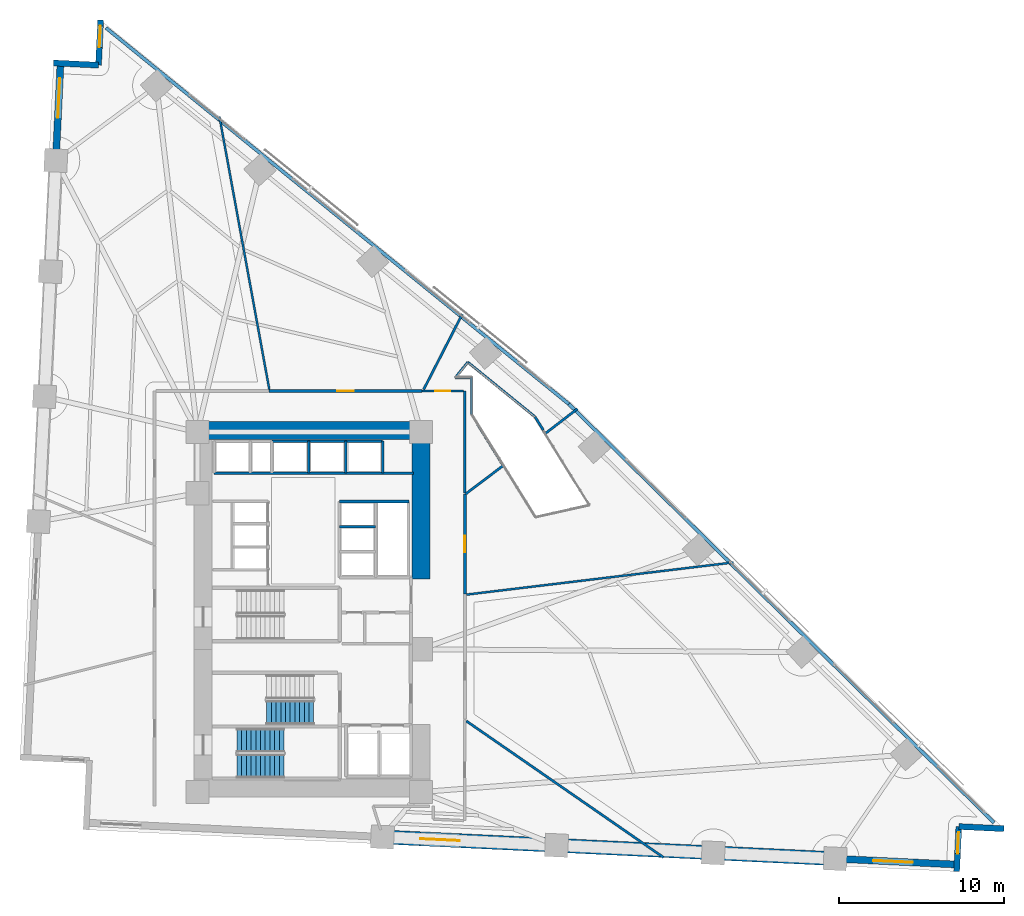
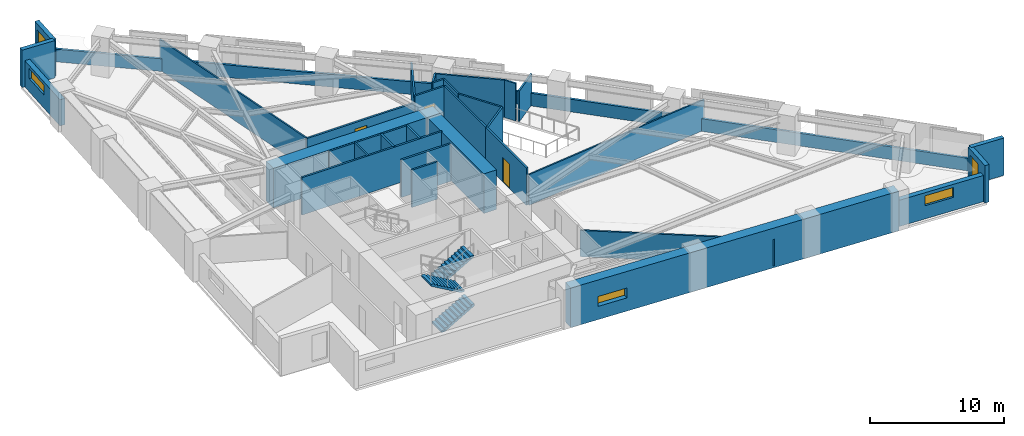
# One storey, part 14 of 17: 34 walls, 5 windows, 3 doors, 3 stair flights, 8 openings, 2 elements without a shape of their own.
"""IFC4 building model written with IfcOpenShell, lengths in metres."""

import ifcopenshell
import ifcopenshell.guid

model = None  # the IFC model being written
_history = None  # IfcOwnerHistory: only IFC2X3 demands one
_inside = {}  # id of a spatial element -> (the spatial element, [elements in it])
_under = {}  # id of a project, library or spatial element -> (it, [spatial elements below it])
_declared = {}  # id of a project -> (the project, [libraries it declares])
_typed = {}  # id of a type object -> (the type object, [elements of that type])
_made_of = {}  # id of a material, layer set ... -> (it, [elements and type objects made of it])


def new_model(schema):
    """Start an empty IFC model of exactly this schema.

    Asked for "IFC4X3", IfcOpenShell would pick the latest addendum, in which some entities
    have other attributes; the version numbers below select the first issue.
    IFC2X3 requires an IfcOwnerHistory on every rooted entity: one is made here for all.
    """
    global model, _history
    if schema == "IFC4X3":
        model = ifcopenshell.file(schema_version=(4, 3, 0, 0))
    else:
        model = ifcopenshell.file(schema=schema)
    _inside.clear()
    _under.clear()
    _declared.clear()
    _typed.clear()
    _made_of.clear()
    _history = None
    if model.schema == "IFC2X3":
        org = make("IfcOrganization", Name="unknown")
        user = make(
            "IfcPersonAndOrganization",
            ThePerson=make("IfcPerson", FamilyName="unknown"),
            TheOrganization=org,
        )
        app = make(
            "IfcApplication",
            ApplicationDeveloper=org,
            Version="unknown",
            ApplicationFullName="unknown",
            ApplicationIdentifier="unknown",
        )
        _history = make(
            "IfcOwnerHistory",
            OwningUser=user,
            OwningApplication=app,
            ChangeAction="ADDED",
            CreationDate=0,
        )
    return model


def make(cls, **values):
    """One entity of the class cls with the attributes given. An attribute that is None is left unset."""
    return model.create_entity(
        cls, **{name: value for name, value in values.items() if value is not None}
    )


def rooted(cls, **values):
    """An entity with a GlobalId (a new one), such as an element, a storey or a relation."""
    return make(cls, GlobalId=ifcopenshell.guid.new(), OwnerHistory=_history, **values)


def si_unit(unit_type, name, prefix=None):
    """IfcSIUnit, for example si_unit("LENGTHUNIT", "METRE", prefix="MILLI")."""
    return make("IfcSIUnit", UnitType=unit_type, Prefix=prefix, Name=name)


def assignment(units):
    """IfcUnitAssignment: the units of a project."""
    return None if units is None else make("IfcUnitAssignment", Units=units)


def point(xyz):
    """IfcCartesianPoint."""
    return None if xyz is None else make("IfcCartesianPoint", Coordinates=xyz)


def direction(xyz):
    """IfcDirection."""
    return None if xyz is None else make("IfcDirection", DirectionRatios=xyz)


def frame(location, z_axis=None, x_axis=None):
    """IfcAxis2Placement3D, a coordinate frame: its origin and axes. An axis left out is left unset."""
    return make(
        "IfcAxis2Placement3D",
        Location=point(location),
        Axis=direction(z_axis),
        RefDirection=direction(x_axis),
    )


def frame_2d(location, x_axis=None):
    """IfcAxis2Placement2D, a coordinate frame in the plane: its origin and x axis."""
    return make(
        "IfcAxis2Placement2D", Location=point(location), RefDirection=direction(x_axis)
    )


def origin():
    """The frame at (0, 0, 0) with its axes left unset."""
    return frame((0.0, 0.0, 0.0))


def place(relative_to, where):
    """IfcLocalPlacement: puts the frame where relative to a parent placement (None: the world)."""
    return make(
        "IfcLocalPlacement", PlacementRelTo=relative_to, RelativePlacement=where
    )


def context(
    kind, dimensions, precision=None, world=None, true_north=None, identifier=None
):
    """IfcGeometricRepresentationContext, for example the 3D "Model" context."""
    return make(
        "IfcGeometricRepresentationContext",
        ContextIdentifier=identifier,
        ContextType=kind,
        CoordinateSpaceDimension=dimensions,
        Precision=precision,
        WorldCoordinateSystem=world,
        TrueNorth=true_north,
    )


def subcontext(parent, identifier, kind, view, scale=None):
    """IfcGeometricRepresentationSubContext, for example "Body" below "Model"."""
    return make(
        "IfcGeometricRepresentationSubContext",
        ContextIdentifier=identifier,
        ContextType=kind,
        ParentContext=parent,
        TargetScale=scale,
        TargetView=view,
    )


def project(units=None, contexts=None):
    """IfcProject with its units and contexts."""
    return rooted(
        "IfcProject",
        Name="project",
        RepresentationContexts=contexts,
        UnitsInContext=assignment(units),
    )


def spatial(cls, under=None, at=None, **own):
    """A site, building, storey or space (cls), placed at a placement, below another one or the project."""
    s = rooted(cls, ObjectPlacement=at, **own)
    if under is not None:
        _under.setdefault(under.id(), (under, []))[1].append(s)
    return s


def polyline(points):
    """IfcPolyline through the points."""
    return make("IfcPolyline", Points=[point(p) for p in points])


def profile(cls, at=None, kind="AREA", **sizes):
    """A parametric profile (cls). Its sizes go by their IFC names, for example OverallWidth=200.0."""
    return make(cls, ProfileType=kind, Position=at, **sizes)


def rectangle(**sizes):
    """IfcRectangleProfileDef."""
    return profile("IfcRectangleProfileDef", **sizes)


def outline(outer, holes=None, kind="AREA"):
    """IfcArbitraryClosedProfileDef: a profile drawn as a closed curve; with holes, ...WithVoids."""
    if holes is None:
        return make("IfcArbitraryClosedProfileDef", ProfileType=kind, OuterCurve=outer)
    return make(
        "IfcArbitraryProfileDefWithVoids",
        ProfileType=kind,
        OuterCurve=outer,
        InnerCurves=holes,
    )


def extrude(swept, where, along, depth):
    """IfcExtrudedAreaSolid: the profile swept, set in the frame where, extruded along a direction by depth."""
    return make(
        "IfcExtrudedAreaSolid",
        SweptArea=swept,
        Position=where,
        ExtrudedDirection=direction(along),
        Depth=depth,
    )


def shape(context_of_items, identifier, shape_type, items):
    """IfcShapeRepresentation: the items that make up one representation, for example the "Body"."""
    return make(
        "IfcShapeRepresentation",
        ContextOfItems=context_of_items,
        RepresentationIdentifier=identifier,
        RepresentationType=shape_type,
        Items=items,
    )


def material(Name=None, Category=None):
    """IfcMaterial."""
    return make("IfcMaterial", Name=Name, Category=Category)


def layer(
    of_material, thickness, ventilated=None, Name=None, Category=None, Priority=None
):
    """IfcMaterialLayer: one layer of a wall or slab, of a material (None: an air gap)."""
    return make(
        "IfcMaterialLayer",
        Material=of_material,
        LayerThickness=thickness,
        IsVentilated=ventilated,
        Name=Name,
        Category=Category,
        Priority=Priority,
    )


def layer_set(layers, Name=None):
    """IfcMaterialLayerSet."""
    return make("IfcMaterialLayerSet", MaterialLayers=layers, LayerSetName=Name)


def made_of(thing, what):
    """Note that an element or type object is made of a material, layer set ...; save() writes the relation."""
    if what is not None:
        _made_of.setdefault(what.id(), (what, []))[1].append(thing)
    return thing


def type_object(cls, material=None, **own):
    """A type object (cls), such as IfcWallType, which elements share."""
    return made_of(rooted(cls, **own), material)


def element(
    cls,
    number,
    at=None,
    inside=None,
    cuts=None,
    type_object=None,
    material=None,
    context=None,
    identifier="Body",
    shape_type=None,
    held_by="IfcProductDefinitionShape",
    body=None,
    shapes=None,
    **own,
):
    """One element of the class cls, such as IfcWall. Its Tag is "e" and its number.

    at: its placement. inside: the storey or other place that contains it. cuts: it is an
    opening in that element (IfcRelVoidsElement). A single representation is given by context,
    identifier, shape_type and body (its items); several are given by shapes. held_by: the class
    of the entity that holds the representations. save() writes the other relations.
    """
    e = rooted(cls, Tag="e%d" % number, ObjectPlacement=at, **own)
    if body is not None:
        shapes = [shape(context, identifier, shape_type, body)]
    if shapes is not None:
        e.Representation = make(held_by, Representations=shapes)
    if inside is not None:
        _inside.setdefault(inside.id(), (inside, []))[1].append(e)
    if cuts is not None:
        rooted(
            "IfcRelVoidsElement", RelatingBuildingElement=cuts, RelatedOpeningElement=e
        )
    if type_object is not None:
        _typed.setdefault(type_object.id(), (type_object, []))[1].append(e)
    return made_of(e, material)


def fill(opening, filler):
    """IfcRelFillsElement: the door or window that sits in an opening."""
    return rooted(
        "IfcRelFillsElement",
        RelatingOpeningElement=opening,
        RelatedBuildingElement=filler,
    )


def aggregate(whole, parts):
    """IfcRelAggregates: a whole, such as a stair, and the parts it consists of."""
    return rooted("IfcRelAggregates", RelatingObject=whole, RelatedObjects=parts)


def save(model, path):
    """Write the relations noted so far, then the file.

    IfcRelAggregates (storeys below a building ...), IfcRelContainedInSpatialStructure (elements
    in a storey), IfcRelDefinesByType, IfcRelAssociatesMaterial and IfcRelDeclares: one each for
    every whole, place, type object, material and project.
    """
    for whole, parts in _under.values():
        aggregate(whole, parts)
    for where, things in _inside.values():
        rooted(
            "IfcRelContainedInSpatialStructure",
            RelatedElements=things,
            RelatingStructure=where,
        )
    for kind, things in _typed.values():
        rooted("IfcRelDefinesByType", RelatedObjects=things, RelatingType=kind)
    for what, things in _made_of.values():
        rooted("IfcRelAssociatesMaterial", RelatedObjects=things, RelatingMaterial=what)
    for by, libraries in _declared.values():
        rooted("IfcRelDeclares", RelatingContext=by, RelatedDefinitions=libraries)
    model.write(path)


model = new_model("IFC4")

# Units and contexts
model_context = context("Model", 3, precision=1e-05, world=origin(), true_north=direction((0.0, 1.0)))
body_context = subcontext(model_context, "Body", "Model", "MODEL_VIEW")
ifc_project = project(units=[si_unit("LENGTHUNIT", "METRE"), si_unit("AREAUNIT", "SQUARE_METRE"), si_unit("VOLUMEUNIT", "CUBIC_METRE"), si_unit("PLANEANGLEUNIT", "RADIAN"), si_unit("MASSUNIT", "GRAM", prefix="KILO")], contexts=[model_context])

# Site, building, storey
site_placement = place(None, origin())
site = spatial("IfcSite", under=ifc_project, at=site_placement, CompositionType="ELEMENT")
building_placement = place(site_placement, origin())
building = spatial("IfcBuilding", under=site, at=building_placement, Name="Narakoshi Arena Tower", CompositionType="ELEMENT")
storey_placement = place(building_placement, frame((0.0, 0.0, 30.300048828125)))
storey = spatial("IfcBuildingStorey", under=building, at=storey_placement, Name="L07", CompositionType="ELEMENT", Elevation=30.300048828125)

# Walls
ifc_material_1 = material(Name="Concrete C60/75", Category="concrete")
ifc_layer_1 = layer(ifc_material_1, 1.10009765625)
ifc_layer_set_1 = layer_set([ifc_layer_1], Name="Concrete C60/75")
wall_type_1 = type_object("IfcWallType", Name="WL-CORE-1100", PredefinedType="SHEAR", material=ifc_layer_set_1)
wall_1_placement = place(storey_placement, frame((71.800048828125, 56.60009765625, -0.199951171875), z_axis=(0.0, 0.0, 1.0), x_axis=(1.0, 0.0, 0.0)))
element("IfcWall", 1, at=wall_1_placement, inside=storey, type_object=wall_type_1, Name="L07 Main Core Shear Wall CW-MN-N", PredefinedType="SHEAR", context=body_context, shape_type="SweptSolid", body=[
    extrude(rectangle(XDim=14.300048828125, YDim=1.10009765625, at=frame_2d((7.14990234375, 0.0))), origin(), (0.0, 0.0, 1.0), 3.599853515625),
])
wall_2_placement = place(storey_placement, frame((85.550048828125, 47.60009765625, -0.199951171875), z_axis=(0.0, 0.0, 1.0), x_axis=(0.0, 1.0, 0.0)))
element("IfcWall", 2, at=wall_2_placement, inside=storey, type_object=wall_type_1, Name="L07 Main Core Shear Wall CW-MN-E", PredefinedType="SHEAR", context=body_context, shape_type="SweptSolid", body=[
    extrude(rectangle(XDim=8.449951171875, YDim=1.10009765625, at=frame_2d((4.22509765625, 0.0))), origin(), (0.0, 0.0, 1.0), 3.599853515625),
])

# Wall, opening, door
ifc_material_2 = material(Name="Gypsum plasterboard fire-rated partition")
ifc_layer_2 = layer(ifc_material_2, 0.1650390625)
ifc_layer_set_2 = layer_set([ifc_layer_2], Name="Gypsum plasterboard fire-rated partition")
wall_type_2 = type_object("IfcWallType", Name="WL-CORR-165", PredefinedType="PARTITIONING", material=ifc_layer_set_2)
wall_3_placement = place(storey_placement, frame((88.20947265625, 46.708984375, 0.0), z_axis=(0.0, 0.0, 1.0), x_axis=(0.0, 1.0, 0.0)))
wall_3 = element("IfcWall", 3, at=wall_3_placement, inside=storey, type_object=wall_type_2, Name="L07 Corridor Partition 04-1", PredefinedType="PARTITIONING", context=body_context, shape_type="SweptSolid", body=[
    extrude(rectangle(XDim=6.044189453125, YDim=0.1650390625, at=frame_2d((3.02197265625, 0.0))), origin(), (0.0, 0.0, 1.0), 3.39990234375),
])
opening_1_placement = place(wall_3_placement, frame((2.522216796875, 0.0, 0.0)))
opening_1 = element("IfcOpeningElement", 4, at=opening_1_placement, cuts=wall_3, Name="Opening D-06", PredefinedType="OPENING", context=body_context, shape_type="SweptSolid", body=[
    extrude(rectangle(XDim=1.0, YDim=2.199951171875, at=frame_2d((0.5, 1.10009765625))), frame((0.0, 0.092529296875, 0.0), z_axis=(0.0, -1.0, 0.0), x_axis=(1.0, 0.0, 0.0)), (0.0, 0.0, 1.0), 0.18505859375),
])
ifc_material_3 = material(Name="Stained oak solid-core timber", Category="wood")
door_type_1 = type_object("IfcDoorType", Name="DR-OFF-1000", OperationType="NOTDEFINED", PredefinedType="DOOR", material=ifc_material_3)
door_1_placement = place(opening_1_placement, frame((1.0, 0.0, 0.0), z_axis=(0.0, 0.0, 1.0), x_axis=(-1.0, 0.0, 0.0)))
door_1 = element("IfcDoor", 5, at=door_1_placement, inside=storey, type_object=door_type_1, Name="DR-L07-017", OperationType="SINGLE_SWING_RIGHT", OverallHeight=2.199951171875, OverallWidth=1.0, PredefinedType="DOOR", context=body_context, shape_type="SweptSolid", body=[
    extrude(rectangle(XDim=1.0, YDim=2.199951171875, at=frame_2d((0.5, 1.10009765625))), frame((0.0, 0.02490234375, 0.0), z_axis=(0.0, -1.0, 0.0), x_axis=(1.0, 0.0, 0.0)), (0.0, 0.0, 1.0), 0.050048828125),
])
fill(opening_1, door_1)

wall_4_placement = place(storey_placement, frame((85.59814453125, 58.99755859375, 0.0), z_axis=(0.0, 0.0, 1.0), x_axis=(-1.0, 0.0, 0.0)))
wall_4 = element("IfcWall", 6, at=wall_4_placement, inside=storey, type_object=wall_type_2, Name="L07 Corridor Partition 06-1", PredefinedType="PARTITIONING", context=body_context, shape_type="SweptSolid", body=[
    extrude(rectangle(XDim=9.2568359375, YDim=0.1650390625, at=frame_2d((4.62841796875, 0.0))), origin(), (0.0, 0.0, 1.0), 2.784912109375),
])
opening_2_placement = place(wall_4_placement, frame((4.12841796875, 0.0, 0.0)))
opening_2 = element("IfcOpeningElement", 7, at=opening_2_placement, cuts=wall_4, Name="Opening D-06", PredefinedType="OPENING", context=body_context, shape_type="SweptSolid", body=[
    extrude(rectangle(XDim=1.0, YDim=2.199951171875, at=frame_2d((0.5, 1.10009765625))), frame((0.0, 0.092529296875, 0.0), z_axis=(0.0, -1.0, 0.0), x_axis=(1.0, 0.0, 0.0)), (0.0, 0.0, 1.0), 0.18505859375),
])
door_2_placement = place(opening_2_placement, frame((1.0, 0.0, 0.0), z_axis=(0.0, 0.0, 1.0), x_axis=(-1.0, 0.0, 0.0)))
door_2 = element("IfcDoor", 8, at=door_2_placement, inside=storey, type_object=door_type_1, Name="DR-L07-019", OperationType="SINGLE_SWING_RIGHT", OverallHeight=2.199951171875, OverallWidth=1.0, PredefinedType="DOOR", context=body_context, shape_type="SweptSolid", body=[
    extrude(rectangle(XDim=1.0, YDim=2.199951171875, at=frame_2d((0.5, 1.10009765625))), frame((0.0, 0.02490234375, 0.0), z_axis=(0.0, -1.0, 0.0), x_axis=(1.0, 0.0, 0.0)), (0.0, 0.0, 1.0), 0.050048828125),
])
fill(opening_2, door_2)

# Wall, opening, window
ifc_layer_3 = layer(ifc_material_1, 0.85009765625)
ifc_layer_set_3 = layer_set([ifc_layer_3], Name="Concrete C60/75")
wall_type_3 = type_object("IfcWallType", Name="WL-LEG-850", PredefinedType="SHEAR", material=ifc_layer_set_3)
wall_5_placement = place(storey_placement, frame((83.2119140625, 31.979248046875, -0.199951171875), z_axis=(0.0, 0.0, 1.0), x_axis=(0.998848235141, -0.047981279227, 0.0)))
wall_5 = element("IfcWall", 9, at=wall_5_placement, inside=storey, type_object=wall_type_3, Name="L07 Architectural Concrete Structural Wall LEGA-2", PredefinedType="SHEAR", context=body_context, shape_type="SweptSolid", body=[
    extrude(rectangle(XDim=27.456298828125, YDim=0.85009765625, at=frame_2d((13.72802734375, 0.0))), origin(), (0.0, 0.0, 1.0), 3.599853515625),
])
opening_3_placement = place(wall_5_placement, frame((2.300048828125, 0.0, 1.199951171875)))
opening_3 = element("IfcOpeningElement", 10, at=opening_3_placement, cuts=wall_5, Name="Opening WN-01", PredefinedType="OPENING", context=body_context, shape_type="SweptSolid", body=[
    extrude(rectangle(XDim=2.39990234375, YDim=0.89990234375, at=frame_2d((1.199951171875, 0.449951171875))), frame((0.0, 0.43505859375, 0.0), z_axis=(0.0, -1.0, 0.0), x_axis=(1.0, 0.0, 0.0)), (0.0, 0.0, 1.0), 0.8701171875),
])
ifc_material_4 = material(Name="Bronze-tinted low-E laminated glass", Category="glass")
window_type_1 = type_object("IfcWindowType", Name="WIN-SLT-24x09", PartitioningType="SINGLE_PANEL", PredefinedType="WINDOW", material=ifc_material_4)
window_1_placement = place(opening_3_placement, origin())
window_1 = element("IfcWindow", 11, at=window_1_placement, inside=storey, type_object=window_type_1, Name="L07 LEGA2 Horizontal Slot Window 1", OverallHeight=0.89990234375, OverallWidth=2.39990234375, PartitioningType="SINGLE_PANEL", PredefinedType="WINDOW", context=body_context, shape_type="SweptSolid", body=[
    extrude(rectangle(XDim=2.39990234375, YDim=0.89990234375, at=frame_2d((1.199951171875, 0.449951171875))), frame((0.0, 0.030029296875, 0.0), z_axis=(0.0, -1.0, 0.0), x_axis=(1.0, 0.0, 0.0)), (0.0, 0.0, 1.0), 0.06005859375),
])
fill(opening_3, window_1)

# Walls
ifc_material_5 = material(Name="Precast concrete C45/55", Category="concrete")
ifc_layer_4 = layer(ifc_material_5, 0.25)
ifc_layer_set_4 = layer_set([ifc_layer_4], Name="Precast concrete C45/55")
wall_type_4 = type_object("IfcWallType", Name="WL-PARA-250", PredefinedType="PARAPET", material=ifc_layer_set_4)
wall_6_placement = place(storey_placement, frame((120.254150390625, 32.847900390625, 0.0), z_axis=(0.0, 0.0, 1.0), x_axis=(-0.71254385441, 0.701627576099, 0.0)))
element("IfcWall", 12, at=wall_6_placement, inside=storey, type_object=wall_type_4, Name="L07 Hypotenuse Sill Upstand Parapet 1-01", PredefinedType="PARAPET", context=body_context, shape_type="SweptSolid", body=[
    extrude(rectangle(XDim=36.1416015625, YDim=0.199951171875, at=frame_2d((18.07080078125, 0.0))), origin(), (0.0, 0.0, 1.0), 1.14990234375),
])
wall_7_placement = place(storey_placement, frame((94.51318359375, 58.19580078125, 0.0), z_axis=(0.0, 0.0, 1.0), x_axis=(-0.776001602097, 0.630730935933, 0.0)))
element("IfcWall", 13, at=wall_7_placement, inside=storey, type_object=wall_type_4, Name="L07 Hypotenuse Sill Upstand Parapet 2-01", PredefinedType="PARAPET", context=body_context, shape_type="SweptSolid", body=[
    extrude(rectangle(XDim=36.14794921875, YDim=0.199951171875, at=frame_2d((18.073974609375, 0.0))), origin(), (0.0, 0.0, 1.0), 1.14990234375),
])
ifc_layer_5 = layer(ifc_material_2, 0.125)
ifc_layer_set_5 = layer_set([ifc_layer_5], Name="Gypsum plasterboard fire-rated partition")
wall_type_5 = type_object("IfcWallType", Name="WL-PART-125", PredefinedType="PARTITIONING", material=ifc_layer_set_5)
wall_8_placement = place(storey_placement, frame((88.303955078125, 46.660400390625, 0.0), z_axis=(0.0, 0.0, 1.0), x_axis=(0.992819846612, 0.119619196507, 0.0)))
element("IfcWall", 14, at=wall_8_placement, inside=storey, type_object=wall_type_5, Name="L07 Inter-Room Partition 03-04", PredefinedType="PARTITIONING", context=body_context, shape_type="SweptSolid", body=[
    extrude(rectangle(XDim=16.2890625, YDim=0.125, at=frame_2d((8.14453125, 0.0))), origin(), (0.0, 0.0, 1.0), 2.784912109375),
])
wall_9_placement = place(storey_placement, frame((76.359619140625, 59.092041015625, 0.0), z_axis=(0.0, 0.0, 1.0), x_axis=(-0.179880606562, 0.983688450366, 0.0)))
element("IfcWall", 15, at=wall_9_placement, inside=storey, type_object=wall_type_5, Name="L07 Inter-Room Partition 06-07", PredefinedType="PARTITIONING", context=body_context, shape_type="SweptSolid", body=[
    extrude(rectangle(XDim=16.79443359375, YDim=0.125, at=frame_2d((8.397216796875, 0.0))), origin(), (0.0, 0.0, 1.0), 2.784912109375),
])

# Wall, opening, window
ifc_layer_6 = layer(ifc_material_5, 0.419921875)
ifc_layer_set_6 = layer_set([ifc_layer_6], Name="Precast concrete C45/55")
wall_type_6 = type_object("IfcWallType", Name="WL-POD-420", PredefinedType="SOLIDWALL", material=ifc_layer_set_6)
wall_10_placement = place(storey_placement, frame((110.636474609375, 30.661865234375, 0.0), z_axis=(0.0, 0.0, 1.0), x_axis=(0.998847872759, -0.047988822508, 0.0)))
wall_10 = element("IfcWall", 16, at=wall_10_placement, inside=storey, type_object=wall_type_6, Name="L07 Architectural Concrete Facade Wall LEGA-3", PredefinedType="SOLIDWALL", context=body_context, shape_type="SweptSolid", body=[
    extrude(rectangle(XDim=7.39208984375, YDim=0.419921875, at=frame_2d((3.696044921875, 0.0))), origin(), (0.0, 0.0, 1.0), 2.385009765625),
])
opening_4_placement = place(wall_10_placement, frame((2.300048828125, 0.0, 1.199951171875)))
opening_4 = element("IfcOpeningElement", 17, at=opening_4_placement, cuts=wall_10, Name="Opening WN-01", PredefinedType="OPENING", context=body_context, shape_type="SweptSolid", body=[
    extrude(rectangle(XDim=2.39990234375, YDim=0.89990234375, at=frame_2d((1.199951171875, 0.449951171875))), frame((0.0, 0.219970703125, 0.0), z_axis=(0.0, -1.0, 0.0), x_axis=(1.0, 0.0, 0.0)), (0.0, 0.0, 1.0), 0.43994140625),
])
window_2_placement = place(opening_4_placement, origin())
window_2 = element("IfcWindow", 18, at=window_2_placement, inside=storey, type_object=window_type_1, Name="L07 LEGA3 Horizontal Slot Window 1", OverallHeight=0.89990234375, OverallWidth=2.39990234375, PartitioningType="SINGLE_PANEL", PredefinedType="WINDOW", context=body_context, shape_type="SweptSolid", body=[
    extrude(rectangle(XDim=2.39990234375, YDim=0.89990234375, at=frame_2d((1.199951171875, 0.449951171875))), frame((0.0, 0.030029296875, 0.0), z_axis=(0.0, -1.0, 0.0), x_axis=(1.0, 0.0, 0.0)), (0.0, 0.0, 1.0), 0.06005859375),
])
fill(opening_4, window_2)

wall_11_placement = place(storey_placement, frame((63.711181640625, 78.84375, 0.0), z_axis=(0.0, 0.0, 1.0), x_axis=(-0.048007946398, -0.998846953784, 0.0)))
wall_11 = element("IfcWall", 19, at=wall_11_placement, inside=storey, type_object=wall_type_6, Name="L07 Architectural Concrete Facade Wall LEGB-1", PredefinedType="SOLIDWALL", context=body_context, shape_type="SweptSolid", body=[
    extrude(rectangle(XDim=5.89404296875, YDim=0.419921875, at=frame_2d((2.947021484375, 0.0))), origin(), (0.0, 0.0, 1.0), 2.385009765625),
])
opening_5_placement = place(wall_11_placement, frame((0.89990234375, 0.0, 1.199951171875)))
opening_5 = element("IfcOpeningElement", 20, at=opening_5_placement, cuts=wall_11, Name="Opening WN-01", PredefinedType="OPENING", context=body_context, shape_type="SweptSolid", body=[
    extrude(rectangle(XDim=2.39990234375, YDim=0.89990234375, at=frame_2d((1.199951171875, 0.449951171875))), frame((0.0, 0.219970703125, 0.0), z_axis=(0.0, -1.0, 0.0), x_axis=(1.0, 0.0, 0.0)), (0.0, 0.0, 1.0), 0.43994140625),
])
window_3_placement = place(opening_5_placement, origin())
window_3 = element("IfcWindow", 21, at=window_3_placement, inside=storey, type_object=window_type_1, Name="L07 LEGB1 Horizontal Slot Window 1", OverallHeight=0.89990234375, OverallWidth=2.39990234375, PartitioningType="SINGLE_PANEL", PredefinedType="WINDOW", context=body_context, shape_type="SweptSolid", body=[
    extrude(rectangle(XDim=2.39990234375, YDim=0.89990234375, at=frame_2d((1.199951171875, 0.449951171875))), frame((0.0, 0.030029296875, 0.0), z_axis=(0.0, -1.0, 0.0), x_axis=(1.0, 0.0, 0.0)), (0.0, 0.0, 1.0), 0.06005859375),
])
fill(opening_5, window_3)

wall_12_placement = place(storey_placement, frame((117.99951171875, 29.8828125, 0.0), z_axis=(0.0, 0.0, 1.0), x_axis=(0.048024030708, 0.998846180588, 0.0)))
wall_12 = element("IfcWall", 22, at=wall_12_placement, inside=storey, type_object=wall_type_6, Name="L07 Re-Entrant Corner Notch Wall NTE-1", PredefinedType="SOLIDWALL", context=body_context, shape_type="SweptSolid", body=[
    extrude(rectangle(XDim=2.72998046875, YDim=0.360107421875, at=frame_2d((1.364990234375, 0.0))), origin(), (0.0, 0.0, 1.0), 3.39990234375),
])
opening_6_placement = place(wall_12_placement, frame((1.090087890625, 0.0, 0.449951171875)))
opening_6 = element("IfcOpeningElement", 23, at=opening_6_placement, cuts=wall_12, Name="Opening WN-06", PredefinedType="OPENING", context=body_context, shape_type="SweptSolid", body=[
    extrude(rectangle(XDim=1.300048828125, YDim=2.39990234375, at=frame_2d((0.64990234375, 1.199951171875))), frame((0.0, 0.18994140625, 0.0), z_axis=(0.0, -1.0, 0.0), x_axis=(1.0, 0.0, 0.0)), (0.0, 0.0, 1.0), 0.380126953125),
])
window_type_2 = type_object("IfcWindowType", Name="WIN-NTC-16x24", PartitioningType="SINGLE_PANEL", PredefinedType="WINDOW", material=ifc_material_4)
window_4_placement = place(opening_6_placement, origin())
window_4 = element("IfcWindow", 24, at=window_4_placement, inside=storey, type_object=window_type_2, Name="L07 Corner Notch Window NTE", OverallHeight=2.39990234375, OverallWidth=1.300048828125, PartitioningType="SINGLE_PANEL", PredefinedType="WINDOW", context=body_context, shape_type="SweptSolid", body=[
    extrude(rectangle(XDim=1.300048828125, YDim=2.39990234375, at=frame_2d((0.64990234375, 1.199951171875))), frame((0.0, 0.030029296875, 0.0), z_axis=(0.0, -1.0, 0.0), x_axis=(1.0, 0.0, 0.0)), (0.0, 0.0, 1.0), 0.06005859375),
])
fill(opening_6, window_4)

# Wall
wall_13_placement = place(storey_placement, frame((118.130615234375, 32.609619140625, 0.0), z_axis=(0.0, 0.0, 1.0), x_axis=(0.998846180588, -0.048024030708, 0.0)))
element("IfcWall", 25, at=wall_13_placement, inside=storey, type_object=wall_type_6, Name="L07 Re-Entrant Corner Notch Wall NTE-2", PredefinedType="SOLIDWALL", context=body_context, shape_type="SweptSolid", body=[
    extrude(rectangle(XDim=2.72998046875, YDim=0.360107421875, at=frame_2d((1.364990234375, 0.0))), origin(), (0.0, 0.0, 1.0), 3.39990234375),
])

# Wall, opening, window
wall_14_placement = place(storey_placement, frame((66.144287109375, 81.4599609375, 0.0), z_axis=(0.0, 0.0, 1.0), x_axis=(-0.047934806162, -0.998850466465, 0.0)))
wall_14 = element("IfcWall", 26, at=wall_14_placement, inside=storey, type_object=wall_type_6, Name="L07 Re-Entrant Corner Notch Wall NTN-1", PredefinedType="SOLIDWALL", context=body_context, shape_type="SweptSolid", body=[
    extrude(rectangle(XDim=2.72998046875, YDim=0.360107421875, at=frame_2d((1.364990234375, 0.0))), origin(), (0.0, 0.0, 1.0), 3.39990234375),
])
opening_7_placement = place(wall_14_placement, frame((0.340087890625, 0.0, 0.449951171875)))
opening_7 = element("IfcOpeningElement", 27, at=opening_7_placement, cuts=wall_14, Name="Opening WN-06", PredefinedType="OPENING", context=body_context, shape_type="SweptSolid", body=[
    extrude(rectangle(XDim=1.300048828125, YDim=2.39990234375, at=frame_2d((0.64990234375, 1.199951171875))), frame((0.0, 0.18994140625, 0.0), z_axis=(0.0, -1.0, 0.0), x_axis=(1.0, 0.0, 0.0)), (0.0, 0.0, 1.0), 0.380126953125),
])
window_5_placement = place(opening_7_placement, origin())
window_5 = element("IfcWindow", 28, at=window_5_placement, inside=storey, type_object=window_type_2, Name="L07 Corner Notch Window NTN", OverallHeight=2.39990234375, OverallWidth=1.300048828125, PartitioningType="SINGLE_PANEL", PredefinedType="WINDOW", context=body_context, shape_type="SweptSolid", body=[
    extrude(rectangle(XDim=1.300048828125, YDim=2.39990234375, at=frame_2d((0.64990234375, 1.199951171875))), frame((0.0, 0.030029296875, 0.0), z_axis=(0.0, -1.0, 0.0), x_axis=(1.0, 0.0, 0.0)), (0.0, 0.0, 1.0), 0.06005859375),
])
fill(opening_7, window_5)

# Walls
wall_15_placement = place(storey_placement, frame((66.013427734375, 78.733154296875, 0.0), z_axis=(0.0, 0.0, 1.0), x_axis=(-0.998846180588, 0.048024030708, 0.0)))
element("IfcWall", 29, at=wall_15_placement, inside=storey, type_object=wall_type_6, Name="L07 Re-Entrant Corner Notch Wall NTN-2", PredefinedType="SOLIDWALL", context=body_context, shape_type="SweptSolid", body=[
    extrude(rectangle(XDim=2.72998046875, YDim=0.360107421875, at=frame_2d((1.364990234375, 0.0))), origin(), (0.0, 0.0, 1.0), 3.39990234375),
])
ifc_material_6 = material(Name="Concrete C40/50", Category="concrete")
ifc_layer_7 = layer(ifc_material_6, 0.280029296875)
ifc_layer_set_7 = layer_set([ifc_layer_7], Name="Concrete C40/50")
wall_type_7 = type_object("IfcWallType", Name="WL-RISER-280", PredefinedType="PLUMBINGWALL", material=ifc_layer_set_7)
wall_16_placement = place(storey_placement, frame((80.60009765625, 50.780029296875, 0.0), z_axis=(0.0, 0.0, 1.0), x_axis=(1.0, 0.0, 0.0)))
element("IfcWall", 30, at=wall_16_placement, inside=storey, type_object=wall_type_7, Name="L07 Core Wall MR-D2", PredefinedType="PLUMBINGWALL", context=body_context, shape_type="SweptSolid", body=[
    extrude(rectangle(XDim=2.199951171875, YDim=0.14990234375, at=frame_2d((1.10009765625, 0.0))), origin(), (0.0, 0.0, 1.0), 3.39990234375),
])
for number, where, z_axis, x_axis, name in (
    (31, (78.75, 54.02001953125, 0.0), (0.0, 0.0, 1.0), (0.0, 1.0, 0.0), "L07 Core Wall HR-D1"),
    (32, (81.0, 54.02001953125, 0.0), (0.0, 0.0, 1.0), (0.0, 1.0, 0.0), "L07 Core Wall HR-D2"),
):
    element("IfcWall", number, at=place(storey_placement, frame(where, z_axis=z_axis, x_axis=x_axis)), inside=storey, type_object=wall_type_7, Name=name, PredefinedType="PLUMBINGWALL", context=body_context, shape_type="SweptSolid", body=[
        extrude(rectangle(XDim=1.9599609375, YDim=0.14990234375, at=frame_2d((0.97998046875, 0.0))), origin(), (0.0, 0.0, 1.0), 3.39990234375),
    ])
ifc_material_7 = material(Name="Concrete C50/60", Category="concrete")
ifc_layer_8 = layer(ifc_material_7, 0.35009765625)
ifc_layer_set_8 = layer_set([ifc_layer_8], Name="Concrete C50/60")
wall_type_8 = type_object("IfcWallType", Name="WL-SHAFT-350", PredefinedType="SOLIDWALL", material=ifc_layer_set_8)
wall_17_placement = place(storey_placement, frame((80.60009765625, 52.300048828125, 0.0), z_axis=(0.0, 0.0, 1.0), x_axis=(1.0, 0.0, 0.0)))
element("IfcWall", 33, at=wall_17_placement, inside=storey, type_object=wall_type_8, Name="L07 Core Wall MR-N", PredefinedType="SOLIDWALL", context=body_context, shape_type="SweptSolid", body=[
    extrude(rectangle(XDim=4.219970703125, YDim=0.159912109375, at=frame_2d((2.10986328125, 0.0))), origin(), (0.0, 0.0, 1.0), 3.39990234375),
])
wall_18_placement = place(storey_placement, frame((73.02001953125, 54.02001953125, 0.0), z_axis=(0.0, 0.0, 1.0), x_axis=(1.0, 0.0, 0.0)))
element("IfcWall", 34, at=wall_18_placement, inside=storey, type_object=wall_type_8, Name="L07 Core Wall NSHF-S", PredefinedType="SOLIDWALL", context=body_context, shape_type="SweptSolid", body=[
    extrude(rectangle(XDim=12.080078125, YDim=0.159912109375, at=frame_2d((6.0400390625, 0.0))), origin(), (0.0, 0.0, 1.0), 3.39990234375),
])
wall_19_placement = place(storey_placement, frame((83.219970703125, 54.02001953125, 0.0), z_axis=(0.0, 0.0, 1.0), x_axis=(0.0, 1.0, 0.0)))
element("IfcWall", 35, at=wall_19_placement, inside=storey, type_object=wall_type_8, Name="L07 Core Wall HR-E", PredefinedType="SOLIDWALL", context=body_context, shape_type="SweptSolid", body=[
    extrude(rectangle(XDim=1.9599609375, YDim=0.14990234375, at=frame_2d((0.97998046875, 0.0))), origin(), (0.0, 0.0, 1.0), 3.39990234375),
])
wall_20_placement = place(storey_placement, frame((76.52001953125, 55.9599609375, 0.0), z_axis=(0.0, 0.0, 1.0), x_axis=(1.0, 0.0, 0.0)))
element("IfcWall", 36, at=wall_20_placement, inside=storey, type_object=wall_type_8, Name="L07 Core Wall HR-N", PredefinedType="SOLIDWALL", context=body_context, shape_type="SweptSolid", body=[
    extrude(rectangle(XDim=6.699951171875, YDim=0.14990234375, at=frame_2d((3.35009765625, 0.0))), origin(), (0.0, 0.0, 1.0), 3.39990234375),
])
ifc_material_8 = material(Name="Moisture-resistant cement-board partition")
ifc_layer_9 = layer(ifc_material_8, 0.14501953125)
ifc_layer_set_9 = layer_set([ifc_layer_9], Name="Moisture-resistant cement-board partition")
wall_type_9 = type_object("IfcWallType", Name="WL-WET-145", PredefinedType="PARTITIONING", material=ifc_layer_set_9)
wall_21_placement = place(storey_placement, frame((88.2939453125, 39.004150390625, 0.0), z_axis=(0.0, 0.0, 1.0), x_axis=(0.822388677369, -0.568926061396, 0.0)))
element("IfcWall", 37, at=wall_21_placement, inside=storey, type_object=wall_type_9, Name="L07 Inter-Room Partition 02-03", PredefinedType="PARTITIONING", context=body_context, shape_type="SweptSolid", body=[
    extrude(rectangle(XDim=14.533935546875, YDim=0.14501953125, at=frame_2d((7.26708984375, 0.0))), origin(), (0.0, 0.0, 1.0), 2.385009765625),
])
wall_22_placement = place(storey_placement, frame((88.248779296875, 52.753173828125, 0.0), z_axis=(0.0, 0.0, 1.0), x_axis=(0.798026268254, 0.602622664009, 0.0)))
element("IfcWall", 38, at=wall_22_placement, inside=storey, type_object=wall_type_9, Name="L07 Inter-Room Partition 04-05", PredefinedType="PARTITIONING", context=body_context, shape_type="SweptSolid", body=[
    extrude(rectangle(XDim=2.856201171875, YDim=0.14501953125, at=frame_2d((1.42822265625, 0.0))), origin(), (0.0, 0.0, 1.0), 3.39990234375),
])
wall_23_placement = place(storey_placement, frame((93.0849609375, 56.422607421875, 0.0), z_axis=(0.0, 0.0, 1.0), x_axis=(0.792542409402, 0.609816799784, 0.0)))
element("IfcWall", 39, at=wall_23_placement, inside=storey, type_object=wall_type_9, Name="L07 Inter-Room Partition 04-05", PredefinedType="PARTITIONING", context=body_context, shape_type="SweptSolid", body=[
    extrude(rectangle(XDim=2.44775390625, YDim=0.14501953125, at=frame_2d((1.223876953125, 0.0))), origin(), (0.0, 0.0, 1.0), 2.784912109375),
])
wall_24_placement = place(storey_placement, frame((88.20947265625, 52.829345703125, 0.0), z_axis=(0.0, 0.0, 1.0), x_axis=(0.0, 1.0, 0.0)))
element("IfcWall", 40, at=wall_24_placement, inside=storey, type_object=wall_type_9, Name="L07 Corridor Partition 05-1", PredefinedType="PARTITIONING", context=body_context, shape_type="SweptSolid", body=[
    extrude(rectangle(XDim=6.168212890625, YDim=0.14501953125, at=frame_2d((3.083984375, 0.0))), origin(), (0.0, 0.0, 1.0), 3.39990234375),
])

# Wall, opening, door
wall_25_placement = place(storey_placement, frame((88.125, 58.99755859375, 0.0), z_axis=(0.0, 0.0, 1.0), x_axis=(-1.0, 0.0, 0.0)))
wall_25 = element("IfcWall", 41, at=wall_25_placement, inside=storey, type_object=wall_type_9, Name="L07 Corridor Partition 05-2", PredefinedType="PARTITIONING", context=body_context, shape_type="SweptSolid", body=[
    extrude(rectangle(XDim=2.5, YDim=0.14501953125, at=frame_2d((1.25, 0.0))), origin(), (0.0, 0.0, 1.0), 3.39990234375),
])
opening_8_placement = place(wall_25_placement, frame((0.7998046875, 0.0, 0.0)))
opening_8 = element("IfcOpeningElement", 42, at=opening_8_placement, cuts=wall_25, Name="Opening D-08", PredefinedType="OPENING", context=body_context, shape_type="SweptSolid", body=[
    extrude(rectangle(XDim=0.89990234375, YDim=2.10009765625, at=frame_2d((0.449951171875, 1.050048828125))), frame((0.0, 0.08251953125, 0.0), z_axis=(0.0, -1.0, 0.0), x_axis=(1.0, 0.0, 0.0)), (0.0, 0.0, 1.0), 0.1650390625),
])
ifc_material_9 = material(Name="Moisture-resistant laminate timber", Category="wood")
door_type_2 = type_object("IfcDoorType", Name="DR-WC-900", OperationType="NOTDEFINED", PredefinedType="DOOR", material=ifc_material_9)
door_3_placement = place(opening_8_placement, frame((0.89990234375, 0.0, 0.0), z_axis=(0.0, 0.0, 1.0), x_axis=(-1.0, 0.0, 0.0)))
door_3 = element("IfcDoor", 43, at=door_3_placement, inside=storey, type_object=door_type_2, Name="DR-L07-018", OperationType="SINGLE_SWING_RIGHT", OverallHeight=2.10009765625, OverallWidth=0.89990234375, PredefinedType="DOOR", context=body_context, shape_type="SweptSolid", body=[
    extrude(rectangle(XDim=0.89990234375, YDim=2.10009765625, at=frame_2d((0.449951171875, 1.050048828125))), frame((0.0, 0.02490234375, 0.0), z_axis=(0.0, -1.0, 0.0), x_axis=(1.0, 0.0, 0.0)), (0.0, 0.0, 1.0), 0.050048828125),
])
fill(opening_8, door_3)

# Walls
wall_26_placement = place(storey_placement, frame((85.708740234375, 59.08203125, 0.0), z_axis=(0.0, 0.0, 1.0), x_axis=(0.456087968049, 0.889934697268, 0.0)))
element("IfcWall", 44, at=wall_26_placement, inside=storey, type_object=wall_type_9, Name="L07 Inter-Room Partition 05-06", PredefinedType="PARTITIONING", context=body_context, shape_type="SweptSolid", body=[
    extrude(rectangle(XDim=5.13720703125, YDim=0.14501953125, at=frame_2d((2.568603515625, 0.0))), origin(), (0.0, 0.0, 1.0), 2.784912109375),
])
wall_27_placement = place(storey_placement, frame((92.961669921875, 56.62109375, 0.0), z_axis=(0.0, 0.0, 1.0), x_axis=(-0.527643921095, 0.849465651178, 0.0)))
element("IfcWall", 45, at=wall_27_placement, inside=storey, type_object=wall_type_9, Name="L07 Room Enclosure Partition 05-1", PredefinedType="PARTITIONING", context=body_context, shape_type="SweptSolid", body=[
    extrude(rectangle(XDim=0.951416015625, YDim=0.14501953125, at=frame_2d((0.4755859375, 0.0))), origin(), (0.0, 0.0, 1.0), 3.39990234375),
])
wall_28_placement = place(storey_placement, frame((92.459716796875, 57.42919921875, 0.0), z_axis=(0.0, 0.0, 1.0), x_axis=(-0.775983159792, 0.630753625213, 0.0)))
element("IfcWall", 46, at=wall_28_placement, inside=storey, type_object=wall_type_9, Name="L07 Room Enclosure Partition 05-2", PredefinedType="PARTITIONING", context=body_context, shape_type="SweptSolid", body=[
    extrude(rectangle(XDim=5.251708984375, YDim=0.14501953125, at=frame_2d((2.6259765625, 0.0))), origin(), (0.0, 0.0, 1.0), 3.39990234375),
])
wall_29_placement = place(storey_placement, frame((88.384521484375, 60.74169921875, 0.0), z_axis=(0.0, 0.0, 1.0), x_axis=(-0.628914048691, -0.777474835193, 0.0)))
element("IfcWall", 47, at=wall_29_placement, inside=storey, type_object=wall_type_9, Name="L07 Room Enclosure Partition 05-3", PredefinedType="PARTITIONING", context=body_context, shape_type="SweptSolid", body=[
    extrude(rectangle(XDim=1.211181640625, YDim=0.14501953125, at=frame_2d((0.60546875, 0.0))), origin(), (0.0, 0.0, 1.0), 3.39990234375),
])
wall_30_placement = place(storey_placement, frame((87.622802734375, 59.800048828125, 0.0), z_axis=(0.0, 0.0, 1.0), x_axis=(1.0, 0.0, 0.0)))
element("IfcWall", 48, at=wall_30_placement, inside=storey, type_object=wall_type_9, Name="L07 Room Enclosure Partition 05-4", PredefinedType="PARTITIONING", context=body_context, shape_type="SweptSolid", body=[
    extrude(rectangle(XDim=0.977294921875, YDim=0.14501953125, at=frame_2d((0.48876953125, 0.0))), origin(), (0.0, 0.0, 1.0), 3.39990234375),
])
wall_31_placement = place(storey_placement, frame((88.60009765625, 59.800048828125, 0.0), z_axis=(0.0, 0.0, 1.0), x_axis=(0.0, -1.0, 0.0)))
element("IfcWall", 49, at=wall_31_placement, inside=storey, type_object=wall_type_9, Name="L07 Room Enclosure Partition 05-5", PredefinedType="PARTITIONING", context=body_context, shape_type="SweptSolid", body=[
    extrude(rectangle(XDim=2.2216796875, YDim=0.14501953125, at=frame_2d((1.11083984375, 0.0))), origin(), (0.0, 0.0, 1.0), 3.39990234375),
])
wall_32_placement = place(storey_placement, frame((88.60009765625, 57.578369140625, 0.0), z_axis=(0.0, 0.0, 1.0), x_axis=(0.526342922734, -0.850272384409, 0.0)))
element("IfcWall", 50, at=wall_32_placement, inside=storey, type_object=wall_type_9, Name="L07 Room Enclosure Partition 05-6", PredefinedType="PARTITIONING", context=body_context, shape_type="SweptSolid", body=[
    extrude(rectangle(XDim=3.59423828125, YDim=0.14501953125, at=frame_2d((1.797119140625, 0.0))), origin(), (0.0, 0.0, 1.0), 3.39990234375),
])

# Stair, stair flights
ifc_material_10 = material(Name="Concrete C45/55", Category="concrete")
stair_type = type_object("IfcStairType", Name="STR-CORE-360", PredefinedType="TWO_STRAIGHT_RUN_STAIR", material=ifc_material_10)
stair_1_placement = place(storey_placement, origin())
stair_1 = element("IfcStair", 51, at=stair_1_placement, inside=storey, type_object=stair_type, Name="L07 Core Escape Stair ST1", PredefinedType="TWO_STRAIGHT_RUN_STAIR")
stair_flight_type = type_object("IfcStairFlightType", Name="FLT-145-160", PredefinedType="STRAIGHT", material=ifc_material_5)
stair_flight_1_placement = place(storey_placement, frame((74.39990234375, 36.27490234375, 0.0), z_axis=(0.0, 0.0, 1.0), x_axis=(1.0, 0.0, 0.0)))
stair_flight_1 = element("IfcStairFlight", 52, at=stair_flight_1_placement, type_object=stair_flight_type, Name="ST1 flight 1", NumberOfRisers=11, NumberOfTreads=10, PredefinedType="STRAIGHT", RiserHeight=0.163636364, TreadLength=0.285, context=body_context, shape_type="SweptSolid", body=[
    extrude(outline(polyline([(0.0, 0.0), (0.0, 0.16357421875), (0.284912109375, 0.16357421875), (0.284912109375, 0.327392578125), (0.570068359375, 0.327392578125), (0.570068359375, 0.490966796875), (0.85498046875, 0.490966796875), (0.85498046875, 0.654541015625), (1.139892578125, 0.654541015625), (1.139892578125, 0.818115234375), (1.425048828125, 0.818115234375), (1.425048828125, 0.98193359375), (1.7099609375, 0.98193359375), (1.7099609375, 1.1455078125), (1.9951171875, 1.1455078125), (1.9951171875, 1.30908203125), (2.280029296875, 1.30908203125), (2.280029296875, 1.47265625), (2.56494140625, 1.47265625), (2.56494140625, 1.636474609375), (2.85009765625, 1.636474609375), (2.85009765625, 1.800048828125), (2.85009765625, 1.463623046875), (0.301025390625, 0.0), (0.0, 0.0)])), frame((0.0, 0.72509765625, 0.0), z_axis=(0.0, -1.0, 0.0), x_axis=(1.0, 0.0, 0.0)), (0.0, 0.0, 1.0), 1.449951171875),
])
stair_flight_2_placement = place(storey_placement, frame((77.25, 37.824951171875, 1.800048828125), z_axis=(0.0, 0.0, 1.0), x_axis=(-1.0, 0.0, 0.0)))
stair_flight_2 = element("IfcStairFlight", 53, at=stair_flight_2_placement, type_object=stair_flight_type, Name="ST1 flight 2", NumberOfRisers=11, NumberOfTreads=10, PredefinedType="STRAIGHT", RiserHeight=0.163636364, TreadLength=0.285, context=body_context, shape_type="SweptSolid", body=[
    extrude(outline(polyline([(0.0, 0.0), (0.0, 0.16357421875), (0.284912109375, 0.16357421875), (0.284912109375, 0.327392578125), (0.570068359375, 0.327392578125), (0.570068359375, 0.490966796875), (0.85498046875, 0.490966796875), (0.85498046875, 0.654541015625), (1.139892578125, 0.654541015625), (1.139892578125, 0.818115234375), (1.425048828125, 0.818115234375), (1.425048828125, 0.98193359375), (1.7099609375, 0.98193359375), (1.7099609375, 1.1455078125), (1.9951171875, 1.1455078125), (1.9951171875, 1.30908203125), (2.280029296875, 1.30908203125), (2.280029296875, 1.47265625), (2.56494140625, 1.47265625), (2.56494140625, 1.636474609375), (2.85009765625, 1.636474609375), (2.85009765625, 1.800048828125), (2.85009765625, 1.463623046875), (0.301025390625, 0.0), (0.0, 0.0)])), frame((0.0, 0.72509765625, 0.0), z_axis=(0.0, -1.0, 0.0), x_axis=(1.0, 0.0, 0.0)), (0.0, 0.0, 1.0), 1.449951171875),
])
aggregate(stair_1, [stair_flight_1, stair_flight_2])

# Stair, stair flight
stair_2_placement = place(storey_placement, origin())
stair_2 = element("IfcStair", 54, at=stair_2_placement, inside=storey, type_object=stair_type, Name="L07 Core Escape Stair ST2", PredefinedType="TWO_STRAIGHT_RUN_STAIR")
stair_flight_3_placement = place(storey_placement, frame((76.199951171875, 39.52490234375, 1.800048828125), z_axis=(0.0, 0.0, 1.0), x_axis=(1.0, 0.0, 0.0)))
stair_flight_3 = element("IfcStairFlight", 55, at=stair_flight_3_placement, type_object=stair_flight_type, Name="ST2 flight 2", NumberOfRisers=11, NumberOfTreads=10, PredefinedType="STRAIGHT", RiserHeight=0.163636364, TreadLength=0.285, context=body_context, shape_type="SweptSolid", body=[
    extrude(outline(polyline([(0.0, 0.0), (0.0, 0.16357421875), (0.284912109375, 0.16357421875), (0.284912109375, 0.327392578125), (0.570068359375, 0.327392578125), (0.570068359375, 0.490966796875), (0.85498046875, 0.490966796875), (0.85498046875, 0.654541015625), (1.139892578125, 0.654541015625), (1.139892578125, 0.818115234375), (1.425048828125, 0.818115234375), (1.425048828125, 0.98193359375), (1.7099609375, 0.98193359375), (1.7099609375, 1.1455078125), (1.9951171875, 1.1455078125), (1.9951171875, 1.30908203125), (2.280029296875, 1.30908203125), (2.280029296875, 1.47265625), (2.56494140625, 1.47265625), (2.56494140625, 1.636474609375), (2.85009765625, 1.636474609375), (2.85009765625, 1.800048828125), (2.85009765625, 1.463623046875), (0.301025390625, 0.0), (0.0, 0.0)])), frame((0.0, 0.72509765625, 0.0), z_axis=(0.0, -1.0, 0.0), x_axis=(1.0, 0.0, 0.0)), (0.0, 0.0, 1.0), 1.449951171875),
])
aggregate(stair_2, [stair_flight_3])

save(model, "model.ifc")
